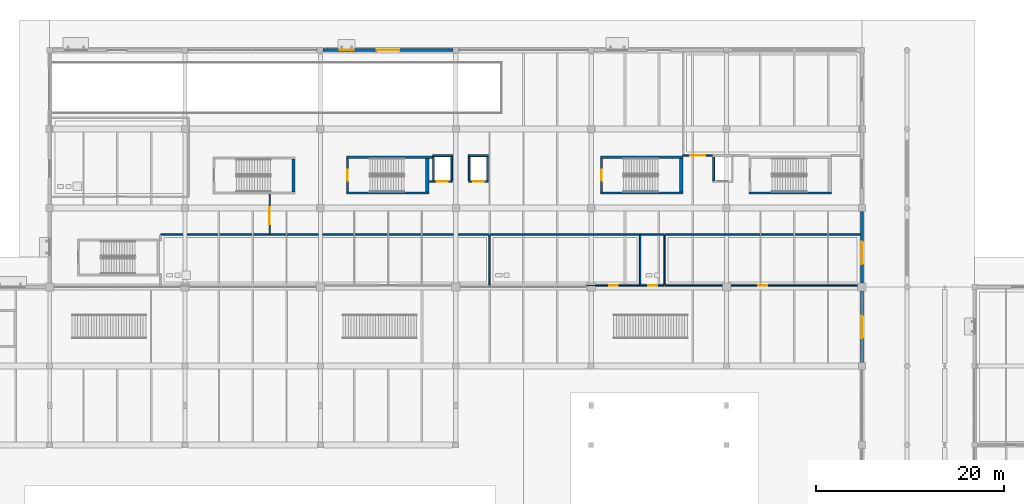
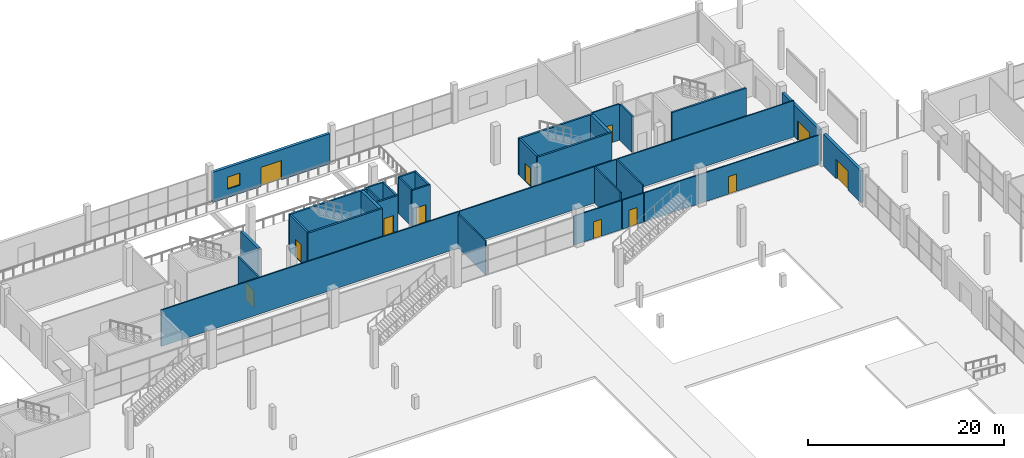
# One storey, part 95 of 130: 34 walls, 12 doors, 1 window, 13 openings.
"""IFC4 building model written with IfcOpenShell, lengths in metres."""

from ifc_helpers import new_model, si_unit, direction, frame, frame_2d, origin, place, context, subcontext, project, spatial, rectangle, extrude, material, layer, layer_set, type_object, element, fill, save


model = new_model("IFC4")

# Units and contexts
model_context = context("Model", 3, precision=1e-05, world=origin(), true_north=direction((0.0, 1.0)))
body_context = subcontext(model_context, "Body", "Model", "MODEL_VIEW")
ifc_project = project(units=[si_unit("LENGTHUNIT", "METRE"), si_unit("AREAUNIT", "SQUARE_METRE"), si_unit("VOLUMEUNIT", "CUBIC_METRE"), si_unit("PLANEANGLEUNIT", "RADIAN"), si_unit("MASSUNIT", "GRAM", prefix="KILO"), si_unit("THERMODYNAMICTEMPERATUREUNIT", "KELVIN")], contexts=[model_context])

# Site, building, storey
site_placement = place(None, origin())
site = spatial("IfcSite", under=ifc_project, at=site_placement, CompositionType="ELEMENT")
building_placement = place(site_placement, origin())
building = spatial("IfcBuilding", under=site, at=building_placement, Name="Nduvali Passage Aquatics Centre", CompositionType="ELEMENT")
storey_placement = place(building_placement, origin())
storey = spatial("IfcBuildingStorey", under=building, at=storey_placement, Name="L00", CompositionType="ELEMENT", Elevation=0.0)

# Wall, opening, door
ifc_material_1 = material(Name="Coral-stone masonry blockwork", Category="masonry")
ifc_layer_1 = layer(ifc_material_1, 0.320068359375, Name="Coral-stone masonry blockwork")
ifc_layer_set_1 = layer_set([ifc_layer_1], Name="Coral-stone masonry blockwork")
wall_type_1 = type_object("IfcWallType", Name="ENV-WAL-CORAL320", PredefinedType="STANDARD", material=ifc_layer_set_1)
wall_1_placement = place(storey_placement, frame((126.0, 84.375, 0.0), z_axis=(0.0, 0.0, 1.0), x_axis=(0.0, 1.0, 0.0)))
wall_1 = element("IfcWall", 1, at=wall_1_placement, inside=storey, type_object=wall_type_1, Name="L00 Pool Hall North Passage Entry 0049", PredefinedType="STANDARD", context=body_context, shape_type="SweptSolid", body=[
    extrude(rectangle(XDim=7.574951171875, YDim=0.320068359375, at=frame_2d((3.78759765625, 0.0))), origin(), (0.0, 0.0, 1.0), 3.976318359375),
])
opening_1_placement = place(wall_1_placement, frame((2.587890625, 0.0, 0.0)))
opening_1 = element("IfcOpeningElement", 2, at=opening_1_placement, cuts=wall_1, Name="Opening ED1", PredefinedType="OPENING", context=body_context, shape_type="SweptSolid", body=[
    extrude(rectangle(XDim=2.39990234375, YDim=2.39990234375, at=frame_2d((1.199951171875, 1.199951171875))), frame((0.0, 0.1748046875, 0.0), z_axis=(0.0, -1.0, 0.0), x_axis=(1.0, 0.0, 0.0)), (0.0, 0.0, 1.0), 0.349853515625),
])
ifc_material_2 = material(Name="Aluminium-framed glazed door", Category="aluminium")
door_type_1 = type_object("IfcDoorType", Name="ENV-DR-EX240", OperationType="DOUBLE_DOOR_SINGLE_SWING", PredefinedType="DOOR", material=ifc_material_2)
door_1_placement = place(opening_1_placement, frame((2.39990234375, 0.0, 0.0), z_axis=(0.0, 0.0, 1.0), x_axis=(-1.0, 0.0, 0.0)))
door_1 = element("IfcDoor", 3, at=door_1_placement, inside=storey, type_object=door_type_1, Name="L00 Exterior Exit Door ED1-012", OperationType="DOUBLE_DOOR_SINGLE_SWING", OverallHeight=2.39990234375, OverallWidth=2.39990234375, PredefinedType="DOOR", context=body_context, shape_type="SweptSolid", body=[
    extrude(rectangle(XDim=2.39990234375, YDim=2.39990234375, at=frame_2d((1.199951171875, 1.199951171875))), frame((0.0, 0.02490234375, 0.0), z_axis=(0.0, -1.0, 0.0), x_axis=(1.0, 0.0, 0.0)), (0.0, 0.0, 1.0), 0.050048828125),
])
fill(opening_1, door_1)

# Wall, openings, door, window
wall_2_placement = place(storey_placement, frame((82.5, 117.60009765625, 0.0), z_axis=(0.0, 0.0, 1.0), x_axis=(-1.0, 0.0, 0.0)))
wall_2 = element("IfcWall", 4, at=wall_2_placement, inside=storey, type_object=wall_type_1, Name="L00 North Avenue Civic Facade 0051", PredefinedType="STANDARD", context=body_context, shape_type="SweptSolid", body=[
    extrude(rectangle(XDim=13.800048828125, YDim=0.320068359375, at=frame_2d((6.89990234375, 0.0))), origin(), (0.0, 0.0, 1.0), 3.75390625),
])
opening_2_placement = place(wall_2_placement, frame((5.699951171875, 0.0, 0.0)))
opening_2 = element("IfcOpeningElement", 5, at=opening_2_placement, cuts=wall_2, Name="Opening ED1", PredefinedType="OPENING", context=body_context, shape_type="SweptSolid", body=[
    extrude(rectangle(XDim=2.39990234375, YDim=2.39990234375, at=frame_2d((1.199951171875, 1.199951171875))), frame((0.0, 0.1748046875, 0.0), z_axis=(0.0, -1.0, 0.0), x_axis=(1.0, 0.0, 0.0)), (0.0, 0.0, 1.0), 0.349853515625),
])
opening_3_placement = place(wall_2_placement, frame((10.56591796875, 0.0, 1.050048828125)))
opening_3 = element("IfcOpeningElement", 6, at=opening_3_placement, cuts=wall_2, Name="Opening W3", PredefinedType="OPENING", context=body_context, shape_type="SweptSolid", body=[
    extrude(rectangle(XDim=1.5, YDim=1.5, at=frame_2d((0.75, 0.75))), frame((0.0, 0.1748046875, 0.0), z_axis=(0.0, -1.0, 0.0), x_axis=(1.0, 0.0, 0.0)), (0.0, 0.0, 1.0), 0.349853515625),
])
door_2_placement = place(opening_2_placement, frame((2.39990234375, 0.0, 0.0), z_axis=(0.0, 0.0, 1.0), x_axis=(-1.0, 0.0, 0.0)))
door_2 = element("IfcDoor", 7, at=door_2_placement, inside=storey, type_object=door_type_1, Name="L00 Exterior Exit Door ED1-014", OperationType="DOUBLE_DOOR_SINGLE_SWING", OverallHeight=2.39990234375, OverallWidth=2.39990234375, PredefinedType="DOOR", context=body_context, shape_type="SweptSolid", body=[
    extrude(rectangle(XDim=2.39990234375, YDim=2.39990234375, at=frame_2d((1.199951171875, 1.199951171875))), frame((0.0, 0.02490234375, 0.0), z_axis=(0.0, -1.0, 0.0), x_axis=(1.0, 0.0, 0.0)), (0.0, 0.0, 1.0), 0.050048828125),
])
fill(opening_2, door_2)
ifc_material_3 = material(Name="Aluminium-framed solar-control low-E IGU", Category="aluminium")
window_type = type_object("IfcWindowType", Name="ENV-WIN-W3", PartitioningType="SINGLE_PANEL", PredefinedType="WINDOW", material=ifc_material_3)
window_placement = place(opening_3_placement, origin())
window = element("IfcWindow", 8, at=window_placement, inside=storey, type_object=window_type, Name="L00 Exterior Window W3-0056", OverallHeight=1.5, OverallWidth=1.5, PartitioningType="SINGLE_PANEL", PredefinedType="WINDOW", context=body_context, shape_type="SweptSolid", body=[
    extrude(rectangle(XDim=1.5, YDim=1.5, at=frame_2d((0.75, 0.75))), frame((0.0, 0.030029296875, 0.0), z_axis=(0.0, -1.0, 0.0), x_axis=(1.0, 0.0, 0.0)), (0.0, 0.0, 1.0), 0.06005859375),
])
fill(opening_3, window)

# Wall, opening, door
wall_3_placement = place(storey_placement, frame((126.0, 92.85009765625, 0.0), z_axis=(0.0, 0.0, 1.0), x_axis=(0.0, 1.0, 0.0)))
wall_3 = element("IfcWall", 9, at=wall_3_placement, inside=storey, type_object=wall_type_1, Name="L00 North Wing East Facade 0057", PredefinedType="STANDARD", context=body_context, shape_type="SweptSolid", body=[
    extrude(rectangle(XDim=7.574951171875, YDim=0.320068359375, at=frame_2d((3.78759765625, 0.0))), origin(), (0.0, 0.0, 1.0), 3.976318359375),
])
opening_4_placement = place(wall_3_placement, frame((1.988037109375, 0.0, 0.0)))
opening_4 = element("IfcOpeningElement", 10, at=opening_4_placement, cuts=wall_3, Name="Opening ED1", PredefinedType="OPENING", context=body_context, shape_type="SweptSolid", body=[
    extrude(rectangle(XDim=2.39990234375, YDim=2.39990234375, at=frame_2d((1.199951171875, 1.199951171875))), frame((0.0, 0.1748046875, 0.0), z_axis=(0.0, -1.0, 0.0), x_axis=(1.0, 0.0, 0.0)), (0.0, 0.0, 1.0), 0.349853515625),
])
door_3_placement = place(opening_4_placement, frame((2.39990234375, 0.0, 0.0), z_axis=(0.0, 0.0, 1.0), x_axis=(-1.0, 0.0, 0.0)))
door_3 = element("IfcDoor", 11, at=door_3_placement, inside=storey, type_object=door_type_1, Name="L00 Exterior Exit Door ED1-018", OperationType="DOUBLE_DOOR_SINGLE_SWING", OverallHeight=2.39990234375, OverallWidth=2.39990234375, PredefinedType="DOOR", context=body_context, shape_type="SweptSolid", body=[
    extrude(rectangle(XDim=2.39990234375, YDim=2.39990234375, at=frame_2d((1.199951171875, 1.199951171875))), frame((0.0, 0.02490234375, 0.0), z_axis=(0.0, -1.0, 0.0), x_axis=(1.0, 0.0, 0.0)), (0.0, 0.0, 1.0), 0.050048828125),
])
fill(opening_4, door_3)

# Walls
ifc_material_4 = material(Name="Concrete C40/50", Category="concrete")
ifc_layer_2 = layer(ifc_material_4, 0.219970703125, Name="Concrete C40/50")
ifc_layer_set_2 = layer_set([ifc_layer_2], Name="Concrete C40/50")
wall_type_2 = type_object("IfcWallType", Name="INT-WAL-CORE220", PredefinedType="SOLIDWALL", material=ifc_layer_set_2)
wall_4_placement = place(storey_placement, frame((71.179931640625, 102.389892578125, 0.0), z_axis=(0.0, 0.0, 1.0), x_axis=(1.0, 0.0, 0.0)))
element("IfcWall", 12, at=wall_4_placement, inside=storey, type_object=wall_type_2, Name="L00 Stair ST1 Core Wall S", PredefinedType="SOLIDWALL", context=body_context, shape_type="SweptSolid", body=[
    extrude(rectangle(XDim=8.77001953125, YDim=0.219970703125, at=frame_2d((4.385009765625, 0.0))), origin(), (0.0, 0.0, 1.0), 4.52001953125),
])
wall_5_placement = place(storey_placement, frame((80.330078125, 106.199951171875, 0.0), z_axis=(0.0, 0.0, 1.0), x_axis=(-1.0, 0.0, 0.0)))
element("IfcWall", 13, at=wall_5_placement, inside=storey, type_object=wall_type_2, Name="L00 Stair ST1 Core Wall N", PredefinedType="SOLIDWALL", context=body_context, shape_type="SweptSolid", body=[
    extrude(rectangle(XDim=9.150146484375, YDim=0.219970703125, at=frame_2d((4.5751953125, 0.0))), origin(), (0.0, 0.0, 1.0), 4.52001953125),
])

# Wall, opening, door
wall_6_placement = place(storey_placement, frame((71.2900390625, 106.090087890625, 0.0), z_axis=(0.0, 0.0, 1.0), x_axis=(0.0, -1.0, 0.0)))
wall_6 = element("IfcWall", 14, at=wall_6_placement, inside=storey, type_object=wall_type_2, Name="L00 Stair ST1 Core Wall W", PredefinedType="SOLIDWALL", context=body_context, shape_type="SweptSolid", body=[
    extrude(rectangle(XDim=3.590087890625, YDim=0.219970703125, at=frame_2d((1.794921875, 0.0))), origin(), (0.0, 0.0, 1.0), 4.52001953125),
])
opening_5_placement = place(wall_6_placement, frame((1.195068359375, 0.0, 0.0)))
opening_5 = element("IfcOpeningElement", 15, at=opening_5_placement, cuts=wall_6, Name="Opening FD-ST2", PredefinedType="OPENING", context=body_context, shape_type="SweptSolid", body=[
    extrude(rectangle(XDim=1.199951171875, YDim=2.199951171875, at=frame_2d((0.60009765625, 1.10009765625))), frame((0.0, 0.125, 0.0), z_axis=(0.0, -1.0, 0.0), x_axis=(1.0, 0.0, 0.0)), (0.0, 0.0, 1.0), 0.249755859375),
])
ifc_material_5 = material(Name="Galvanised steel door", Category="steel")
door_type_2 = type_object("IfcDoorType", Name="INT-DR-ST120", OperationType="NOTDEFINED", PredefinedType="DOOR", material=ifc_material_5)
door_4_placement = place(opening_5_placement, origin())
door_4 = element("IfcDoor", 16, at=door_4_placement, inside=storey, type_object=door_type_2, Name="L00 Stair ST1 Fire Lobby Door", OperationType="SINGLE_SWING_LEFT", OverallHeight=2.199951171875, OverallWidth=1.199951171875, PredefinedType="DOOR", context=body_context, shape_type="SweptSolid", body=[
    extrude(rectangle(XDim=1.199951171875, YDim=2.199951171875, at=frame_2d((0.60009765625, 1.10009765625))), frame((0.0, 0.02490234375, 0.0), z_axis=(0.0, -1.0, 0.0), x_axis=(1.0, 0.0, 0.0)), (0.0, 0.0, 1.0), 0.050048828125),
])
fill(opening_5, door_4)

# Walls
for number, where, z_axis, x_axis, name in (
    (17, (113.97998046875, 102.389892578125, 0.0), (0.0, 0.0, 1.0), (1.0, 0.0, 0.0), "L00 Stair ST2 Core Wall S"),
    (18, (98.179931640625, 102.389892578125, 0.0), (0.0, 0.0, 1.0), (1.0, 0.0, 0.0), "L00 Stair ST11 Core Wall S"),
    (19, (106.949951171875, 106.199951171875, 0.0), (0.0, 0.0, 1.0), (-1.0, 0.0, 0.0), "L00 Stair ST11 Core Wall N"),
):
    element("IfcWall", number, at=place(storey_placement, frame(where, z_axis=z_axis, x_axis=x_axis)), inside=storey, type_object=wall_type_2, Name=name, PredefinedType="SOLIDWALL", context=body_context, shape_type="SweptSolid", body=[
        extrude(rectangle(XDim=8.77001953125, YDim=0.219970703125, at=frame_2d((4.385009765625, 0.0))), origin(), (0.0, 0.0, 1.0), 4.52001953125),
    ])

# Wall, opening, door
wall_7_placement = place(storey_placement, frame((98.2900390625, 106.090087890625, 0.0), z_axis=(0.0, 0.0, 1.0), x_axis=(0.0, -1.0, 0.0)))
wall_7 = element("IfcWall", 20, at=wall_7_placement, inside=storey, type_object=wall_type_2, Name="L00 Stair ST11 Core Wall W", PredefinedType="SOLIDWALL", context=body_context, shape_type="SweptSolid", body=[
    extrude(rectangle(XDim=3.590087890625, YDim=0.219970703125, at=frame_2d((1.794921875, 0.0))), origin(), (0.0, 0.0, 1.0), 4.52001953125),
])
opening_6_placement = place(wall_7_placement, frame((1.195068359375, 0.0, 0.0)))
opening_6 = element("IfcOpeningElement", 21, at=opening_6_placement, cuts=wall_7, Name="Opening FD-ST2", PredefinedType="OPENING", context=body_context, shape_type="SweptSolid", body=[
    extrude(rectangle(XDim=1.199951171875, YDim=2.199951171875, at=frame_2d((0.60009765625, 1.10009765625))), frame((0.0, 0.125, 0.0), z_axis=(0.0, -1.0, 0.0), x_axis=(1.0, 0.0, 0.0)), (0.0, 0.0, 1.0), 0.249755859375),
])
door_5_placement = place(opening_6_placement, origin())
door_5 = element("IfcDoor", 22, at=door_5_placement, inside=storey, type_object=door_type_2, Name="L00 Stair ST11 Fire Lobby Door", OperationType="SINGLE_SWING_RIGHT", OverallHeight=2.199951171875, OverallWidth=1.199951171875, PredefinedType="DOOR", context=body_context, shape_type="SweptSolid", body=[
    extrude(rectangle(XDim=1.199951171875, YDim=2.199951171875, at=frame_2d((0.60009765625, 1.10009765625))), frame((0.0, 0.02490234375, 0.0), z_axis=(0.0, -1.0, 0.0), x_axis=(1.0, 0.0, 0.0)), (0.0, 0.0, 1.0), 0.050048828125),
])
fill(opening_6, door_5)

ifc_material_6 = material(Name="Gypsum fire-rated stud partition")
ifc_layer_3 = layer(ifc_material_6, 0.159912109375, Name="Gypsum fire-rated stud partition")
ifc_layer_set_3 = layer_set([ifc_layer_3], Name="Gypsum fire-rated stud partition")
wall_type_3 = type_object("IfcWallType", Name="INT-WAL-FIRE160", PredefinedType="PARTITIONING", material=ifc_layer_set_3)
wall_8_placement = place(storey_placement, frame((63.0, 98.0, 0.0), z_axis=(0.0, 0.0, 1.0), x_axis=(0.0, 1.0, 0.0)))
wall_8 = element("IfcWall", 23, at=wall_8_placement, inside=storey, type_object=wall_type_3, Name="L00 Cross-Corridor Smoke Partition", PredefinedType="PARTITIONING", context=body_context, shape_type="SweptSolid", body=[
    extrude(rectangle(XDim=4.280029296875, YDim=0.159912109375, at=frame_2d((2.14013671875, 0.0))), origin(), (0.0, 0.0, 1.0), 4.52001953125),
])
opening_7_placement = place(wall_8_placement, frame((1.10009765625, 0.0, 0.0)))
opening_7 = element("IfcOpeningElement", 24, at=opening_7_placement, cuts=wall_8, Name="Opening FD-C1", PredefinedType="OPENING", context=body_context, shape_type="SweptSolid", body=[
    extrude(rectangle(XDim=1.800048828125, YDim=2.199951171875, at=frame_2d((0.89990234375, 1.10009765625))), frame((0.0, 0.0947265625, 0.0), z_axis=(0.0, -1.0, 0.0), x_axis=(1.0, 0.0, 0.0)), (0.0, 0.0, 1.0), 0.189697265625),
])
ifc_material_7 = material(Name="Timber solid-core fire door", Category="wood")
door_type_3 = type_object("IfcDoorType", Name="INT-DR-COR180", OperationType="DOUBLE_DOOR_SINGLE_SWING", PredefinedType="DOOR", material=ifc_material_7)
door_6_placement = place(opening_7_placement, origin())
door_6 = element("IfcDoor", 25, at=door_6_placement, inside=storey, type_object=door_type_3, Name="L00 Cross-Corridor Double Fire Door", OperationType="DOUBLE_DOOR_SINGLE_SWING", OverallHeight=2.199951171875, OverallWidth=1.800048828125, PredefinedType="DOOR", context=body_context, shape_type="SweptSolid", body=[
    extrude(rectangle(XDim=1.800048828125, YDim=2.199951171875, at=frame_2d((0.89990234375, 1.10009765625))), frame((0.0, 0.02490234375, 0.0), z_axis=(0.0, -1.0, 0.0), x_axis=(1.0, 0.0, 0.0)), (0.0, 0.0, 1.0), 0.050048828125),
])
fill(opening_7, door_6)

ifc_material_8 = material(Name="Gypsum acoustic stud partition")
ifc_layer_4 = layer(ifc_material_8, 0.139892578125, Name="Gypsum acoustic stud partition")
ifc_layer_set_4 = layer_set([ifc_layer_4], Name="Gypsum acoustic stud partition")
wall_type_4 = type_object("IfcWallType", Name="INT-WAL-PART140", PredefinedType="PARTITIONING", material=ifc_layer_set_4)
wall_9_placement = place(storey_placement, frame((105.074951171875, 92.56005859375, 0.0), z_axis=(0.0, 0.0, 1.0), x_axis=(1.0, 0.0, 0.0)))
wall_9 = element("IfcWall", 26, at=wall_9_placement, inside=storey, type_object=wall_type_4, Name="L00 Dar es Salaam Swimming Club Room Partition 0085", PredefinedType="PARTITIONING", context=body_context, shape_type="SweptSolid", body=[
    extrude(rectangle(XDim=20.76513671875, YDim=0.139892578125, at=frame_2d((10.382568359375, 0.0))), origin(), (0.0, 0.0, 1.0), 3.605712890625),
])
opening_8_placement = place(wall_9_placement, frame((9.906982421875, 0.0, 0.0)))
opening_8 = element("IfcOpeningElement", 27, at=opening_8_placement, cuts=wall_9, Name="Opening ID2", PredefinedType="OPENING", context=body_context, shape_type="SweptSolid", body=[
    extrude(rectangle(XDim=0.949951171875, YDim=2.14990234375, at=frame_2d((0.47509765625, 1.074951171875))), frame((0.0, 0.0849609375, 0.0), z_axis=(0.0, -1.0, 0.0), x_axis=(1.0, 0.0, 0.0)), (0.0, 0.0, 1.0), 0.169677734375),
])
ifc_material_9 = material(Name="Timber solid-core door", Category="wood")
door_type_4 = type_object("IfcDoorType", Name="INT-DR-STD95", OperationType="NOTDEFINED", PredefinedType="DOOR", material=ifc_material_9)
door_7_placement = place(opening_8_placement, origin())
door_7 = element("IfcDoor", 28, at=door_7_placement, inside=storey, type_object=door_type_4, Name="L00 Dar es Salaam Swimming Club Room Door 0028", OperationType="SINGLE_SWING_LEFT", OverallHeight=2.14990234375, OverallWidth=0.949951171875, PredefinedType="DOOR", context=body_context, shape_type="SweptSolid", body=[
    extrude(rectangle(XDim=0.949951171875, YDim=2.14990234375, at=frame_2d((0.47509765625, 1.074951171875))), frame((0.0, 0.02490234375, 0.0), z_axis=(0.0, -1.0, 0.0), x_axis=(1.0, 0.0, 0.0)), (0.0, 0.0, 1.0), 0.050048828125),
])
fill(opening_8, door_7)

# Wall
wall_10_placement = place(storey_placement, frame((105.074951171875, 98.0, 0.0), z_axis=(0.0, 0.0, 1.0), x_axis=(1.0, 0.0, 0.0)))
element("IfcWall", 29, at=wall_10_placement, inside=storey, type_object=wall_type_4, Name="L00 Dar es Salaam Swimming Club Room Partition 0086", PredefinedType="PARTITIONING", context=body_context, shape_type="SweptSolid", body=[
    extrude(rectangle(XDim=20.76513671875, YDim=0.139892578125, at=frame_2d((10.382568359375, 0.0))), origin(), (0.0, 0.0, 1.0), 4.52001953125),
])

# Wall, opening, door
wall_11_placement = place(storey_placement, frame((106.949951171875, 106.39990234375, 0.0), z_axis=(0.0, 0.0, 1.0), x_axis=(1.0, 0.0, 0.0)))
wall_11 = element("IfcWall", 30, at=wall_11_placement, inside=storey, type_object=wall_type_4, Name="L00 Campus Security and Building Management Office Partition 0087", PredefinedType="PARTITIONING", context=body_context, shape_type="SweptSolid", body=[
    extrude(rectangle(XDim=3.179931640625, YDim=0.139892578125, at=frame_2d((1.58984375, 0.0))), origin(), (0.0, 0.0, 1.0), 4.52001953125),
])
opening_9_placement = place(wall_11_placement, frame((0.794921875, 0.0, 0.0)))
opening_9 = element("IfcOpeningElement", 31, at=opening_9_placement, cuts=wall_11, Name="Opening ID4", PredefinedType="OPENING", context=body_context, shape_type="SweptSolid", body=[
    extrude(rectangle(XDim=1.60009765625, YDim=2.199951171875, at=frame_2d((0.800048828125, 1.10009765625))), frame((0.0, 0.0849609375, 0.0), z_axis=(0.0, -1.0, 0.0), x_axis=(1.0, 0.0, 0.0)), (0.0, 0.0, 1.0), 0.169677734375),
])
door_type_5 = type_object("IfcDoorType", Name="INT-DR-DBL160", OperationType="DOUBLE_DOOR_SINGLE_SWING", PredefinedType="DOOR", material=ifc_material_2)
door_8_placement = place(opening_9_placement, frame((1.60009765625, 0.0, 0.0), z_axis=(0.0, 0.0, 1.0), x_axis=(-1.0, 0.0, 0.0)))
door_8 = element("IfcDoor", 32, at=door_8_placement, inside=storey, type_object=door_type_5, Name="L00 Campus Security and Building Management Office Door 0029", OperationType="DOUBLE_DOOR_SINGLE_SWING", OverallHeight=2.199951171875, OverallWidth=1.60009765625, PredefinedType="DOOR", context=body_context, shape_type="SweptSolid", body=[
    extrude(rectangle(XDim=1.60009765625, YDim=2.199951171875, at=frame_2d((0.800048828125, 1.10009765625))), frame((0.0, 0.02490234375, 0.0), z_axis=(0.0, -1.0, 0.0), x_axis=(1.0, 0.0, 0.0)), (0.0, 0.0, 1.0), 0.050048828125),
])
fill(opening_9, door_8)

ifc_layer_5 = layer(ifc_material_4, 0.18994140625, Name="Concrete C40/50")
ifc_layer_set_5 = layer_set([ifc_layer_5], Name="Concrete C40/50")
wall_type_5 = type_object("IfcWallType", Name="INT-WAL-SHAFT200", PredefinedType="SOLIDWALL", material=ifc_layer_set_5)
wall_12_placement = place(storey_placement, frame((79.949951171875, 103.625, 0.0), z_axis=(0.0, 0.0, 1.0), x_axis=(1.0, 0.0, 0.0)))
wall_12 = element("IfcWall", 33, at=wall_12_placement, inside=storey, type_object=wall_type_5, Name="L00 Lift L1 Shaft Wall S", PredefinedType="SOLIDWALL", context=body_context, shape_type="SweptSolid", body=[
    extrude(rectangle(XDim=2.52001953125, YDim=0.18994140625, at=frame_2d((1.260009765625, 0.0))), origin(), (0.0, 0.0, 1.0), 4.52001953125),
])
opening_10_placement = place(wall_12_placement, frame((0.89990234375, 0.0, 0.0)))
opening_10 = element("IfcOpeningElement", 34, at=opening_10_placement, cuts=wall_12, Name="Opening LD1", PredefinedType="OPENING", context=body_context, shape_type="SweptSolid", body=[
    extrude(rectangle(XDim=1.10009765625, YDim=2.199951171875, at=frame_2d((0.550048828125, 1.10009765625))), frame((0.0, 0.10986328125, 0.0), z_axis=(0.0, -1.0, 0.0), x_axis=(1.0, 0.0, 0.0)), (0.0, 0.0, 1.0), 0.2197265625),
])
ifc_material_10 = material(Name="Stainless steel landing door", Category="steel")
door_type_6 = type_object("IfcDoorType", Name="INT-DR-LD1", OperationType="DOUBLE_DOOR_SLIDING", PredefinedType="DOOR", material=ifc_material_10)
door_9_placement = place(opening_10_placement, origin())
door_9 = element("IfcDoor", 35, at=door_9_placement, inside=storey, type_object=door_type_6, Name="L00 Lift L1 Sliding Landing Door LD1", OperationType="DOUBLE_DOOR_SLIDING", OverallHeight=2.199951171875, OverallWidth=1.10009765625, PredefinedType="DOOR", context=body_context, shape_type="SweptSolid", body=[
    extrude(rectangle(XDim=1.10009765625, YDim=2.199951171875, at=frame_2d((0.550048828125, 1.10009765625))), frame((0.0, 0.02490234375, 0.0), z_axis=(0.0, -1.0, 0.0), x_axis=(1.0, 0.0, 0.0)), (0.0, 0.0, 1.0), 0.050048828125),
])
fill(opening_10, door_9)

# Walls
wall_13_placement = place(storey_placement, frame((82.375, 103.719970703125, 0.0), z_axis=(0.0, 0.0, 1.0), x_axis=(0.0, 1.0, 0.0)))
element("IfcWall", 36, at=wall_13_placement, inside=storey, type_object=wall_type_5, Name="L00 Lift L1 Shaft Wall E", PredefinedType="SOLIDWALL", context=body_context, shape_type="SweptSolid", body=[
    extrude(rectangle(XDim=2.56005859375, YDim=0.18994140625, at=frame_2d((1.280029296875, 0.0))), origin(), (0.0, 0.0, 1.0), 4.52001953125),
])
wall_14_placement = place(storey_placement, frame((82.469970703125, 106.375, 0.0), z_axis=(0.0, 0.0, 1.0), x_axis=(-1.0, 0.0, 0.0)))
element("IfcWall", 37, at=wall_14_placement, inside=storey, type_object=wall_type_5, Name="L00 Lift L1 Shaft Wall N", PredefinedType="SOLIDWALL", context=body_context, shape_type="SweptSolid", body=[
    extrude(rectangle(XDim=2.139892578125, YDim=0.18994140625, at=frame_2d((1.06982421875, 0.0))), origin(), (0.0, 0.0, 1.0), 4.52001953125),
])
wall_15_placement = place(storey_placement, frame((80.425048828125, 106.280029296875, 0.0), z_axis=(0.0, 0.0, 1.0), x_axis=(0.0, -1.0, 0.0)))
element("IfcWall", 38, at=wall_15_placement, inside=storey, type_object=wall_type_5, Name="L00 Lift L1 Shaft Wall W", PredefinedType="SOLIDWALL", context=body_context, shape_type="SweptSolid", body=[
    extrude(rectangle(XDim=2.56005859375, YDim=0.18994140625, at=frame_2d((1.280029296875, 0.0))), origin(), (0.0, 0.0, 1.0), 4.52001953125),
])

# Wall, opening, door
wall_16_placement = place(storey_placement, frame((84.1298828125, 103.625, 0.0), z_axis=(0.0, 0.0, 1.0), x_axis=(1.0, 0.0, 0.0)))
wall_16 = element("IfcWall", 39, at=wall_16_placement, inside=storey, type_object=wall_type_5, Name="L00 Lift L2 Shaft Wall S", PredefinedType="SOLIDWALL", context=body_context, shape_type="SweptSolid", body=[
    extrude(rectangle(XDim=2.14013671875, YDim=0.18994140625, at=frame_2d((1.070068359375, 0.0))), origin(), (0.0, 0.0, 1.0), 4.52001953125),
])
opening_11_placement = place(wall_16_placement, frame((0.52001953125, 0.0, 0.0)))
opening_11 = element("IfcOpeningElement", 40, at=opening_11_placement, cuts=wall_16, Name="Opening LD2", PredefinedType="OPENING", context=body_context, shape_type="SweptSolid", body=[
    extrude(rectangle(XDim=1.10009765625, YDim=2.199951171875, at=frame_2d((0.550048828125, 1.10009765625))), frame((0.0, 0.10986328125, 0.0), z_axis=(0.0, -1.0, 0.0), x_axis=(1.0, 0.0, 0.0)), (0.0, 0.0, 1.0), 0.2197265625),
])
door_type_7 = type_object("IfcDoorType", Name="INT-DR-LD2", OperationType="DOUBLE_DOOR_SLIDING", PredefinedType="DOOR", material=ifc_material_10)
door_10_placement = place(opening_11_placement, origin())
door_10 = element("IfcDoor", 41, at=door_10_placement, inside=storey, type_object=door_type_7, Name="L00 Lift L2 Sliding Landing Door LD2", OperationType="DOUBLE_DOOR_SLIDING", OverallHeight=2.199951171875, OverallWidth=1.10009765625, PredefinedType="DOOR", context=body_context, shape_type="SweptSolid", body=[
    extrude(rectangle(XDim=1.10009765625, YDim=2.199951171875, at=frame_2d((0.550048828125, 1.10009765625))), frame((0.0, 0.02490234375, 0.0), z_axis=(0.0, -1.0, 0.0), x_axis=(1.0, 0.0, 0.0)), (0.0, 0.0, 1.0), 0.050048828125),
])
fill(opening_11, door_10)

# Walls
wall_17_placement = place(storey_placement, frame((86.175048828125, 103.719970703125, 0.0), z_axis=(0.0, 0.0, 1.0), x_axis=(0.0, 1.0, 0.0)))
element("IfcWall", 42, at=wall_17_placement, inside=storey, type_object=wall_type_5, Name="L00 Lift L2 Shaft Wall E", PredefinedType="SOLIDWALL", context=body_context, shape_type="SweptSolid", body=[
    extrude(rectangle(XDim=2.56005859375, YDim=0.18994140625, at=frame_2d((1.280029296875, 0.0))), origin(), (0.0, 0.0, 1.0), 4.52001953125),
])
wall_18_placement = place(storey_placement, frame((86.27001953125, 106.375, 0.0), z_axis=(0.0, 0.0, 1.0), x_axis=(-1.0, 0.0, 0.0)))
element("IfcWall", 43, at=wall_18_placement, inside=storey, type_object=wall_type_5, Name="L00 Lift L2 Shaft Wall N", PredefinedType="SOLIDWALL", context=body_context, shape_type="SweptSolid", body=[
    extrude(rectangle(XDim=2.14013671875, YDim=0.18994140625, at=frame_2d((1.070068359375, 0.0))), origin(), (0.0, 0.0, 1.0), 4.52001953125),
])
for number, where, z_axis, x_axis, name in (
    (44, (84.22509765625, 106.280029296875, 0.0), (0.0, 0.0, 1.0), (0.0, -1.0, 0.0), "L00 Lift L2 Shaft Wall W"),
    (45, (110.22509765625, 106.280029296875, 0.0), (0.0, 0.0, 1.0), (0.0, -1.0, 0.0), "L00 Lift L3 Shaft Wall W"),
):
    element("IfcWall", number, at=place(storey_placement, frame(where, z_axis=z_axis, x_axis=x_axis)), inside=storey, type_object=wall_type_5, Name=name, PredefinedType="SOLIDWALL", context=body_context, shape_type="SweptSolid", body=[
        extrude(rectangle(XDim=2.56005859375, YDim=0.18994140625, at=frame_2d((1.280029296875, 0.0))), origin(), (0.0, 0.0, 1.0), 4.52001953125),
    ])
ifc_layer_6 = layer(ifc_material_1, 0.14990234375, Name="Coral-stone masonry blockwork")
ifc_layer_set_6 = layer_set([ifc_layer_6], Name="Coral-stone masonry blockwork")
wall_type_6 = type_object("IfcWallType", Name="INT-WAL-WET150", PredefinedType="PLUMBINGWALL", material=ifc_layer_set_6)
wall_19_placement = place(storey_placement, frame((51.39990234375, 98.0, 0.0), z_axis=(0.0, 0.0, 1.0), x_axis=(1.0, 0.0, 0.0)))
element("IfcWall", 46, at=wall_19_placement, inside=storey, type_object=wall_type_6, Name="L00 Warm Hydrotherapy Pool Hall Partition 0071", PredefinedType="PLUMBINGWALL", context=body_context, shape_type="SweptSolid", body=[
    extrude(rectangle(XDim=35.0, YDim=0.14990234375, at=frame_2d((17.5, 0.0))), origin(), (0.0, 0.0, 1.0), 4.52001953125),
])
wall_20_placement = place(storey_placement, frame((86.39990234375, 92.419921875, 0.0), z_axis=(0.0, 0.0, 1.0), x_axis=(0.0, 1.0, 0.0)))
element("IfcWall", 47, at=wall_20_placement, inside=storey, type_object=wall_type_6, Name="L00 Warm Hydrotherapy Pool Hall Partition 0074", PredefinedType="PLUMBINGWALL", context=body_context, shape_type="SweptSolid", body=[
    extrude(rectangle(XDim=5.505126953125, YDim=0.14990234375, at=frame_2d((2.75244140625, 0.0))), origin(), (0.0, 0.0, 1.0), 4.216064453125),
])

# Wall, opening, door
wall_21_placement = place(storey_placement, frame((96.75, 92.56005859375, 0.0), z_axis=(0.0, 0.0, 1.0), x_axis=(1.0, 0.0, 0.0)))
wall_21 = element("IfcWall", 48, at=wall_21_placement, inside=storey, type_object=wall_type_6, Name="L00 North Wing Public Toilets Partition 0079", PredefinedType="PLUMBINGWALL", context=body_context, shape_type="SweptSolid", body=[
    extrude(rectangle(XDim=5.64990234375, YDim=0.14990234375, at=frame_2d((2.824951171875, 0.0))), origin(), (0.0, 0.0, 1.0), 3.605712890625),
])
opening_12_placement = place(wall_21_placement, frame((2.35009765625, 0.0, 0.0)))
opening_12 = element("IfcOpeningElement", 49, at=opening_12_placement, cuts=wall_21, Name="Opening ID3", PredefinedType="OPENING", context=body_context, shape_type="SweptSolid", body=[
    extrude(rectangle(XDim=0.949951171875, YDim=2.10009765625, at=frame_2d((0.47509765625, 1.050048828125))), frame((0.0, 0.08984375, 0.0), z_axis=(0.0, -1.0, 0.0), x_axis=(1.0, 0.0, 0.0)), (0.0, 0.0, 1.0), 0.1796875),
])
door_type_8 = type_object("IfcDoorType", Name="INT-DR-WC95", OperationType="NOTDEFINED", PredefinedType="DOOR", material=ifc_material_9)
door_11_placement = place(opening_12_placement, origin())
door_11 = element("IfcDoor", 50, at=door_11_placement, inside=storey, type_object=door_type_8, Name="L00 North Wing Public Toilets Door 0026", OperationType="SINGLE_SWING_LEFT", OverallHeight=2.10009765625, OverallWidth=0.949951171875, PredefinedType="DOOR", context=body_context, shape_type="SweptSolid", body=[
    extrude(rectangle(XDim=0.949951171875, YDim=2.10009765625, at=frame_2d((0.47509765625, 1.050048828125))), frame((0.0, 0.02490234375, 0.0), z_axis=(0.0, -1.0, 0.0), x_axis=(1.0, 0.0, 0.0)), (0.0, 0.0, 1.0), 0.050048828125),
])
fill(opening_12, door_11)

# Walls
wall_22_placement = place(storey_placement, frame((86.47509765625, 98.0, 0.0), z_axis=(0.0, 0.0, 1.0), x_axis=(1.0, 0.0, 0.0)))
element("IfcWall", 51, at=wall_22_placement, inside=storey, type_object=wall_type_6, Name="L00 North Wing Public Toilets Partition 0080", PredefinedType="PLUMBINGWALL", context=body_context, shape_type="SweptSolid", body=[
    extrude(rectangle(XDim=15.9248046875, YDim=0.14990234375, at=frame_2d((7.96240234375, 0.0))), origin(), (0.0, 0.0, 1.0), 4.52001953125),
])
wall_23_placement = place(storey_placement, frame((102.39990234375, 92.635009765625, 0.0), z_axis=(0.0, 0.0, 1.0), x_axis=(0.0, 1.0, 0.0)))
element("IfcWall", 52, at=wall_23_placement, inside=storey, type_object=wall_type_6, Name="L00 North Wing Public Toilets Partition 0081", PredefinedType="PLUMBINGWALL", context=body_context, shape_type="SweptSolid", body=[
    extrude(rectangle(XDim=5.2900390625, YDim=0.14990234375, at=frame_2d((2.64501953125, 0.0))), origin(), (0.0, 0.0, 1.0), 4.52001953125),
])

# Wall, opening, door
wall_24_placement = place(storey_placement, frame((102.47509765625, 92.56005859375, 0.0), z_axis=(0.0, 0.0, 1.0), x_axis=(1.0, 0.0, 0.0)))
wall_24 = element("IfcWall", 53, at=wall_24_placement, inside=storey, type_object=wall_type_6, Name="L00 North Wing Accessible WC Partition 0082", PredefinedType="PLUMBINGWALL", context=body_context, shape_type="SweptSolid", body=[
    extrude(rectangle(XDim=2.52490234375, YDim=0.14990234375, at=frame_2d((1.262451171875, 0.0))), origin(), (0.0, 0.0, 1.0), 3.605712890625),
])
opening_13_placement = place(wall_24_placement, frame((0.787109375, 0.0, 0.0)))
opening_13 = element("IfcOpeningElement", 54, at=opening_13_placement, cuts=wall_24, Name="Opening ID3", PredefinedType="OPENING", context=body_context, shape_type="SweptSolid", body=[
    extrude(rectangle(XDim=0.949951171875, YDim=2.10009765625, at=frame_2d((0.47509765625, 1.050048828125))), frame((0.0, 0.08984375, 0.0), z_axis=(0.0, -1.0, 0.0), x_axis=(1.0, 0.0, 0.0)), (0.0, 0.0, 1.0), 0.1796875),
])
door_12_placement = place(opening_13_placement, frame((0.949951171875, 0.0, 0.0), z_axis=(0.0, 0.0, 1.0), x_axis=(-1.0, 0.0, 0.0)))
door_12 = element("IfcDoor", 55, at=door_12_placement, inside=storey, type_object=door_type_8, Name="L00 North Wing Accessible WC Door 0027", OperationType="SINGLE_SWING_RIGHT", OverallHeight=2.10009765625, OverallWidth=0.949951171875, PredefinedType="DOOR", context=body_context, shape_type="SweptSolid", body=[
    extrude(rectangle(XDim=0.949951171875, YDim=2.10009765625, at=frame_2d((0.47509765625, 1.050048828125))), frame((0.0, 0.02490234375, 0.0), z_axis=(0.0, -1.0, 0.0), x_axis=(1.0, 0.0, 0.0)), (0.0, 0.0, 1.0), 0.050048828125),
])
fill(opening_13, door_12)

# Walls
wall_25_placement = place(storey_placement, frame((102.47509765625, 98.0, 0.0), z_axis=(0.0, 0.0, 1.0), x_axis=(1.0, 0.0, 0.0)))
element("IfcWall", 56, at=wall_25_placement, inside=storey, type_object=wall_type_6, Name="L00 North Wing Accessible WC Partition 0083", PredefinedType="PLUMBINGWALL", context=body_context, shape_type="SweptSolid", body=[
    extrude(rectangle(XDim=2.52490234375, YDim=0.14990234375, at=frame_2d((1.262451171875, 0.0))), origin(), (0.0, 0.0, 1.0), 4.52001953125),
])
wall_26_placement = place(storey_placement, frame((105.0, 92.635009765625, 0.0), z_axis=(0.0, 0.0, 1.0), x_axis=(0.0, 1.0, 0.0)))
element("IfcWall", 57, at=wall_26_placement, inside=storey, type_object=wall_type_6, Name="L00 North Wing Accessible WC Partition 0084", PredefinedType="PLUMBINGWALL", context=body_context, shape_type="SweptSolid", body=[
    extrude(rectangle(XDim=5.2900390625, YDim=0.14990234375, at=frame_2d((2.64501953125, 0.0))), origin(), (0.0, 0.0, 1.0), 4.52001953125),
])
ifc_layer_7 = layer(ifc_material_4, 0.300048828125, Name="Concrete C40/50")
ifc_layer_set_7 = layer_set([ifc_layer_7], Name="Concrete C40/50")
wall_type_7 = type_object("IfcWallType", Name="STR-WAL-SHR300", PredefinedType="SHEAR", material=ifc_layer_set_7)
wall_27_placement = place(storey_placement, frame((65.550048828125, 102.5, 0.0), z_axis=(0.0, 0.0, 1.0), x_axis=(0.0, 1.0, 0.0)))
element("IfcWall", 58, at=wall_27_placement, inside=storey, type_object=wall_type_7, Name="L00 Stair ST3 Core Shear Wall E", PredefinedType="SHEAR", context=body_context, shape_type="SweptSolid", body=[
    extrude(rectangle(XDim=3.510009765625, YDim=0.300048828125, at=frame_2d((1.7548828125, 0.0))), origin(), (0.0, 0.0, 1.0), 4.52001953125),
])
ifc_layer_8 = layer(ifc_material_4, 0.35009765625, Name="Concrete C40/50")
ifc_layer_set_8 = layer_set([ifc_layer_8], Name="Concrete C40/50")
wall_type_8 = type_object("IfcWallType", Name="STR-WAL-SHR350", PredefinedType="SHEAR", material=ifc_layer_set_8)
for number, where, z_axis, x_axis, name in (
    (59, (79.77490234375, 102.5, 0.0), (0.0, 0.0, 1.0), (0.0, 1.0, 0.0), "L00 Stair ST1 Core Shear Wall E"),
    (60, (106.77490234375, 102.5, 0.0), (0.0, 0.0, 1.0), (0.0, 1.0, 0.0), "L00 Stair ST11 Core Shear Wall E"),
):
    element("IfcWall", number, at=place(storey_placement, frame(where, z_axis=z_axis, x_axis=x_axis)), inside=storey, type_object=wall_type_8, Name=name, PredefinedType="SHEAR", context=body_context, shape_type="SweptSolid", body=[
        extrude(rectangle(XDim=3.590087890625, YDim=0.35009765625, at=frame_2d((1.794921875, 0.0))), origin(), (0.0, 0.0, 1.0), 4.52001953125),
    ])

save(model, "model.ifc")
